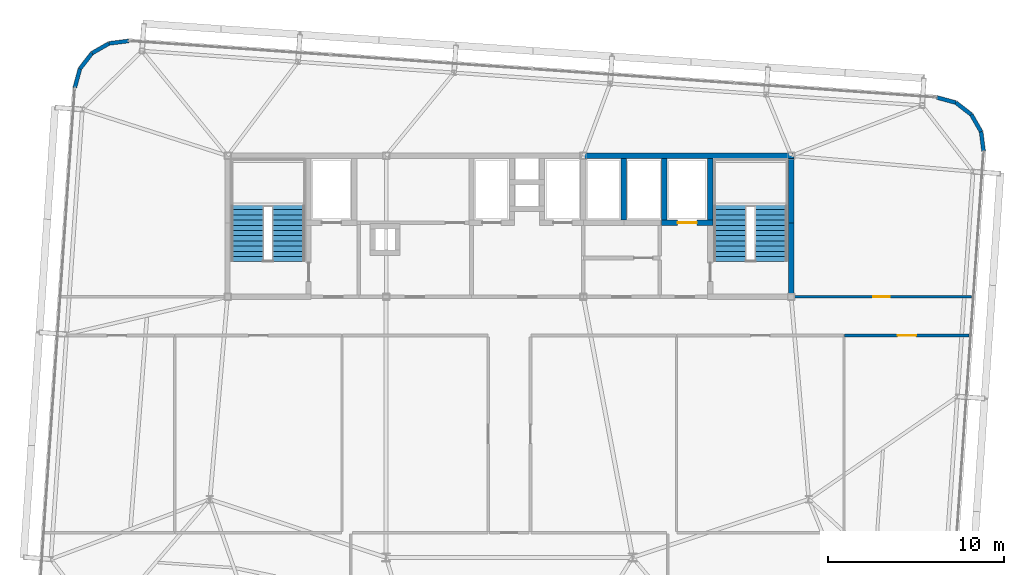
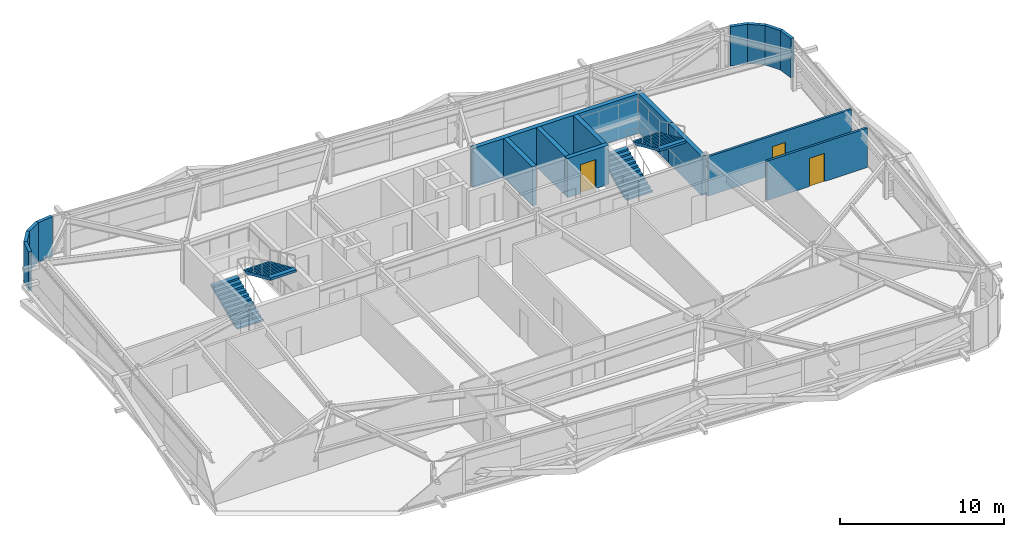
# One storey, part 37 of 39: 17 walls, 4 stair flights, 3 doors, 3 openings, 2 elements without a shape of their own.
"""IFC4 building model written with IfcOpenShell, lengths in metres."""

from ifc_helpers import new_model, si_unit, direction, frame, frame_2d, origin, place, context, subcontext, project, spatial, polyline, rectangle, outline, extrude, source, transform, mapped, material, layer, layer_set, type_object, element, fill, aggregate, save


model = new_model("IFC4")

# Units and contexts
model_context = context("Model", 3, precision=1e-05, world=origin(), true_north=direction((0.0, 1.0)))
body_context = subcontext(model_context, "Body", "Model", "MODEL_VIEW")
ifc_project = project(units=[si_unit("LENGTHUNIT", "METRE"), si_unit("AREAUNIT", "SQUARE_METRE"), si_unit("VOLUMEUNIT", "CUBIC_METRE"), si_unit("PLANEANGLEUNIT", "RADIAN"), si_unit("MASSUNIT", "GRAM", prefix="KILO")], contexts=[model_context])

# Site, building, storey
site_placement = place(None, origin())
site = spatial("IfcSite", under=ifc_project, at=site_placement, CompositionType="ELEMENT")
building_placement = place(site_placement, origin())
building = spatial("IfcBuilding", under=site, at=building_placement, Name="Taldren Reach Tower", CompositionType="ELEMENT")
storey_placement = place(building_placement, frame((0.0, 0.0, 126.699951171875)))
storey = spatial("IfcBuildingStorey", under=building, at=storey_placement, Name="L38", CompositionType="ELEMENT", Elevation=126.699951171875)

# Walls
ifc_material_1 = material(Name="Pale Champagne Anodised Aluminium Cladding", Category="aluminium")
ifc_layer_1 = layer(ifc_material_1, 0.04, Name="Pale Champagne Anodised Aluminium Cladding", Category="aluminium")
ifc_material_2 = material(Name="Mineral Wool Acoustic Insulation", Category="insulation")
ifc_layer_2 = layer(ifc_material_2, 0.06, Name="Mineral Wool Acoustic Insulation", Category="insulation")
ifc_material_3 = material(Name="Steel Gr 350 (C350L0)", Category="steel")
ifc_layer_3 = layer(ifc_material_3, 0.12, Name="Steel Gr 350 (C350L0)", Category="steel")
ifc_layer_set_1 = layer_set([ifc_layer_1, ifc_layer_2, ifc_layer_3], Name="Pale Champagne Aluminium Cladding and Steel Gr 350 Stud Framing")
wall_type_1 = type_object("IfcWallType", Name="EW-CRN-220", PredefinedType="SOLIDWALL", material=ifc_layer_set_1)
shared_shape_1 = source(origin(), body_context, "Body", "SweptSolid", [
    extrude(rectangle(XDim=1.115966796875, YDim=0.219970703125, at=frame_2d((0.55810546875, 0.0))), origin(), (0.0, 0.0, 1.0), 2.929931640625),
])
for number, where, z_axis, x_axis, name in (
    (1, (61.923583984375, 32.261962890625, 0.0), (0.0, 0.0, 1.0), (-0.126242535829, 0.991999406324, 0.0), "Rounded-corner pale-metal facade wall L38-NE1"),
    (2, (61.78271484375, 33.368896484375, 0.0), (0.0, 0.0, 1.0), (-0.496138938357, 0.868243142124, 0.0), "Rounded-corner pale-metal facade wall L38-NE2"),
    (3, (61.22900390625, 34.337890625, 0.0), (0.0, 0.0, 1.0), (-0.790716874741, 0.612182018684, 0.0), "Rounded-corner pale-metal facade wall L38-NE3"),
    (4, (60.3466796875, 35.02099609375, 0.0), (0.0, 0.0, 1.0), (-0.964804199372, 0.262969307856, 0.0), "Rounded-corner pale-metal facade wall L38-NE4"),
    (5, (13.382080078125, 38.5234375, 0.0), (0.0, 0.0, 1.0), (-0.991999406324, -0.126242535829, 0.0), "Rounded-corner pale-metal facade wall L38-NW1"),
    (6, (11.306396484375, 37.828857421875, 0.0), (0.0, 0.0, 1.0), (-0.612318787668, -0.790610967714, 0.0), "Rounded-corner pale-metal facade wall L38-NW3"),
    (7, (10.623046875, 36.946533203125, 0.0), (0.0, 0.0, 1.0), (-0.262969307856, -0.964804199372, 0.0), "Rounded-corner pale-metal facade wall L38-NW4"),
):
    element("IfcWall", number, at=place(storey_placement, frame(where, z_axis=z_axis, x_axis=x_axis)), inside=storey, type_object=wall_type_1, Name=name, PredefinedType="SOLIDWALL", context=body_context, shape_type="MappedRepresentation", body=[
        mapped(shared_shape_1, transform((0.0, 0.0, 0.0), scale=1.0)),
    ])
shared_shape_2 = source(origin(), body_context, "Body", "SweptSolid", [
    extrude(rectangle(XDim=1.11572265625, YDim=0.219970703125, at=frame_2d((0.557861328125, 0.0))), origin(), (0.0, 0.0, 1.0), 2.929931640625),
])
wall_1_placement = place(storey_placement, frame((12.275146484375, 38.382568359375, 0.0), z_axis=(0.0, 0.0, 1.0), x_axis=(-0.868189279113, -0.496233186751, 0.0)))
element("IfcWall", 8, at=wall_1_placement, inside=storey, type_object=wall_type_1, Name="Rounded-corner pale-metal facade wall L38-NW2", PredefinedType="SOLIDWALL", context=body_context, shape_type="MappedRepresentation", body=[
    mapped(shared_shape_2, transform((0.0, 0.0, 0.0), scale=1.0)),
])
ifc_material_4 = material(Name="Concrete S65 (65 MPa)", Category="concrete")
ifc_layer_4 = layer(ifc_material_4, 0.300048828125)
ifc_layer_set_2 = layer_set([ifc_layer_4], Name="Concrete S65 (65 MPa)")
wall_type_2 = type_object("IfcWallType", Name="IW-CORE-300", PredefinedType="SHEAR", material=ifc_layer_set_2)
shared_shape_3 = source(origin(), body_context, "Body", "SweptSolid", [
    extrude(rectangle(XDim=11.949951171875, YDim=0.300048828125, at=frame_2d((5.97509765625, 0.0))), origin(), (0.0, 0.0, 1.0), 2.929931640625),
])
wall_2_placement = place(storey_placement, frame((39.199951171875, 32.0, 0.0), z_axis=(0.0, 0.0, 1.0), x_axis=(1.0, 0.0, 0.0)))
element("IfcWall", 9, at=wall_2_placement, inside=storey, type_object=wall_type_2, Name="Rear Core Shear Wall W-CORE-L38-NORTH3", PredefinedType="SHEAR", context=body_context, shape_type="MappedRepresentation", body=[
    mapped(shared_shape_3, transform((0.0, 0.0, 0.0), scale=1.0)),
])
shared_shape_4 = source(origin(), body_context, "Body", "SweptSolid", [
    extrude(rectangle(XDim=4.050048828125, YDim=0.300048828125, at=frame_2d((2.02490234375, 0.0))), origin(), (0.0, 0.0, 1.0), 2.929931640625),
])
wall_3_placement = place(storey_placement, frame((51.0, 24.14990234375, 0.0), z_axis=(0.0, 0.0, 1.0), x_axis=(0.0, 1.0, 0.0)))
element("IfcWall", 10, at=wall_3_placement, inside=storey, type_object=wall_type_2, Name="Rear Core Shear Wall W-CORE-L38-EAST1", PredefinedType="SHEAR", context=body_context, shape_type="MappedRepresentation", body=[
    mapped(shared_shape_4, transform((0.0, 0.0, 0.0), scale=1.0)),
])
shared_shape_5 = source(origin(), body_context, "Body", "SweptSolid", [
    extrude(rectangle(XDim=3.650146484375, YDim=0.300048828125, at=frame_2d((1.8251953125, 0.0))), origin(), (0.0, 0.0, 1.0), 2.929931640625),
])
wall_4_placement = place(storey_placement, frame((51.0, 28.199951171875, 0.0), z_axis=(0.0, 0.0, 1.0), x_axis=(0.0, 1.0, 0.0)))
element("IfcWall", 11, at=wall_4_placement, inside=storey, type_object=wall_type_2, Name="Rear Core Shear Wall W-CORE-L38-EAST2", PredefinedType="SHEAR", context=body_context, shape_type="MappedRepresentation", body=[
    mapped(shared_shape_5, transform((0.0, 0.0, 0.0), scale=1.0)),
])
shared_shape_6 = source(origin(), body_context, "Body", "SweptSolid", [
    extrude(rectangle(XDim=3.5, YDim=0.300048828125, at=frame_2d((1.75, 0.0))), origin(), (0.0, 0.0, 1.0), 2.929931640625),
])
for number, where, z_axis, x_axis, name in (
    (12, (46.39990234375, 31.85009765625, 0.0), (0.0, 0.0, 1.0), (0.0, -1.0, 0.0), "Rear Core Shear Wall W-INT-L38-008"),
    (13, (43.800048828125, 31.85009765625, 0.0), (0.0, 0.0, 1.0), (0.0, -1.0, 0.0), "Rear Core Shear Wall W-INT-L38-012"),
    (14, (41.5, 28.35009765625, 0.0), (0.0, 0.0, 1.0), (0.0, 1.0, 0.0), "Rear Core Shear Wall W-INT-L38-036"),
):
    element("IfcWall", number, at=place(storey_placement, frame(where, z_axis=z_axis, x_axis=x_axis)), inside=storey, type_object=wall_type_2, Name=name, PredefinedType="SHEAR", context=body_context, shape_type="MappedRepresentation", body=[
        mapped(shared_shape_6, transform((0.0, 0.0, 0.0), scale=1.0)),
    ])

# Wall, opening, door
shared_shape_7 = source(origin(), body_context, "Body", "SweptSolid", [
    extrude(rectangle(XDim=2.900146484375, YDim=0.300048828125, at=frame_2d((1.4501953125, 0.0))), origin(), (0.0, 0.0, 1.0), 2.929931640625),
])
wall_5_placement = place(storey_placement, frame((43.64990234375, 28.199951171875, 0.0), z_axis=(0.0, 0.0, 1.0), x_axis=(1.0, 0.0, 0.0)))
wall_5 = element("IfcWall", 15, at=wall_5_placement, inside=storey, type_object=wall_type_2, Name="Rear Core Shear Wall W-INT-L38-011", PredefinedType="SHEAR", context=body_context, shape_type="MappedRepresentation", body=[
    mapped(shared_shape_7, transform((0.0, 0.0, 0.0), scale=1.0)),
])
shared_shape_8 = source(origin(), body_context, "Body", "SweptSolid", [
    extrude(rectangle(XDim=1.10009765625, YDim=2.14990234375, at=frame_2d((0.550048828125, 1.074951171875))), frame((0.0, 0.16015625, 0.0), z_axis=(0.0, -1.0, 0.0), x_axis=(1.0, 0.0, 0.0)), (0.0, 0.0, 1.0), 0.320068359375),
])
opening_1_placement = place(wall_5_placement, frame((0.89990234375, 0.0, 0.0)))
opening_1 = element("IfcOpeningElement", 16, at=opening_1_placement, cuts=wall_5, Name="Opening LD-FL2", PredefinedType="OPENING", context=body_context, shape_type="MappedRepresentation", body=[
    mapped(shared_shape_8, transform((0.0, 0.0, 0.0), scale=1.0)),
])
ifc_material_5 = material(Name="Stainless Steel Gr 316 Emergency Lift Landing Door", Category="steel")
door_type_1 = type_object("IfcDoorType", Name="LD-EMG-110", OperationType="SLIDING_TO_LEFT", PredefinedType="DOOR", material=ifc_material_5)
shared_shape_9 = source(origin(), body_context, "Body", "SweptSolid", [
    extrude(rectangle(XDim=1.10009765625, YDim=2.14990234375, at=frame_2d((0.550048828125, 1.074951171875))), frame((0.0, 0.02490234375, 0.0), z_axis=(0.0, -1.0, 0.0), x_axis=(1.0, 0.0, 0.0)), (0.0, 0.0, 1.0), 0.050048828125),
])
door_1_placement = place(opening_1_placement, origin())
door_1 = element("IfcDoor", 17, at=door_1_placement, inside=storey, type_object=door_type_1, Name="Lift Landing Door LD-FL2-L38", OperationType="SLIDING_TO_LEFT", OverallHeight=2.14990234375, OverallWidth=1.10009765625, PredefinedType="DOOR", context=body_context, shape_type="MappedRepresentation", body=[
    mapped(shared_shape_9, transform((0.0, 0.0, 0.0), scale=1.0)),
])
fill(opening_1, door_1)

ifc_material_6 = material(Name="Fire-Rated Acoustic Plasterboard Stud Wall", Category="gypsum")
ifc_layer_5 = layer(ifc_material_6, 0.159912109375)
ifc_layer_set_3 = layer_set([ifc_layer_5], Name="Fire-Rated Acoustic Plasterboard Stud Wall")
wall_type_3 = type_object("IfcWallType", Name="IW-FIRE-160", PredefinedType="PARTITIONING", material=ifc_layer_set_3)
shared_shape_10 = source(origin(), body_context, "Body", "SweptSolid", [
    extrude(rectangle(XDim=10.10009765625, YDim=0.159912109375, at=frame_2d((5.050048828125, 0.0))), origin(), (0.0, 0.0, 1.0), 2.929931640625),
])
wall_6_placement = place(storey_placement, frame((51.14990234375, 24.0, 0.0), z_axis=(0.0, 0.0, 1.0), x_axis=(1.0, 0.0, 0.0)))
wall_6 = element("IfcWall", 18, at=wall_6_placement, inside=storey, type_object=wall_type_3, Name="Interior Partition Wall W-INT-L38-049", PredefinedType="PARTITIONING", context=body_context, shape_type="MappedRepresentation", body=[
    mapped(shared_shape_10, transform((0.0, 0.0, 0.0), scale=1.0)),
])
shared_shape_11 = source(origin(), body_context, "Body", "SweptSolid", [
    extrude(rectangle(XDim=0.919921875, YDim=2.10009765625, at=frame_2d((0.4599609375, 1.050048828125))), frame((0.0, 0.08984375, 0.0), z_axis=(0.0, -1.0, 0.0), x_axis=(1.0, 0.0, 0.0)), (0.0, 0.0, 1.0), 0.179931640625),
])
opening_2_placement = place(wall_6_placement, frame((4.525146484375, 0.0, 0.0)))
opening_2 = element("IfcOpeningElement", 19, at=opening_2_placement, cuts=wall_6, Name="Opening DI-092", PredefinedType="OPENING", context=body_context, shape_type="MappedRepresentation", body=[
    mapped(shared_shape_11, transform((0.0, 0.0, 0.0), scale=1.0)),
])
ifc_material_7 = material(Name="Solid-Core Timber Suite Door", Category="wood")
door_type_2 = type_object("IfcDoorType", Name="ID-INT-092", OperationType="NOTDEFINED", PredefinedType="DOOR", material=ifc_material_7)
shared_shape_12 = source(origin(), body_context, "Body", "SweptSolid", [
    extrude(rectangle(XDim=0.919921875, YDim=2.10009765625, at=frame_2d((0.4599609375, 1.050048828125))), frame((0.0, 0.02490234375, 0.0), z_axis=(0.0, -1.0, 0.0), x_axis=(1.0, 0.0, 0.0)), (0.0, 0.0, 1.0), 0.050048828125),
])
door_2_placement = place(opening_2_placement, origin())
door_2 = element("IfcDoor", 20, at=door_2_placement, inside=storey, type_object=door_type_2, Name="Interior Door DR-L38-014", OperationType="SINGLE_SWING_LEFT", OverallHeight=2.10009765625, OverallWidth=0.919921875, PredefinedType="DOOR", context=body_context, shape_type="MappedRepresentation", body=[
    mapped(shared_shape_12, transform((0.0, 0.0, 0.0), scale=1.0)),
])
fill(opening_2, door_2)

shared_shape_13 = source(origin(), body_context, "Body", "SweptSolid", [
    extrude(rectangle(XDim=7.087158203125, YDim=0.159912109375, at=frame_2d((3.54345703125, 0.0))), origin(), (0.0, 0.0, 1.0), 2.929931640625),
])
wall_7_placement = place(storey_placement, frame((61.107421875, 21.800048828125, 0.0), z_axis=(0.0, 0.0, 1.0), x_axis=(-1.0, 0.0, 0.0)))
wall_7 = element("IfcWall", 21, at=wall_7_placement, inside=storey, type_object=wall_type_3, Name="Interior Partition Wall W-INT-L38-048", PredefinedType="PARTITIONING", context=body_context, shape_type="MappedRepresentation", body=[
    mapped(shared_shape_13, transform((0.0, 0.0, 0.0), scale=1.0)),
])
shared_shape_14 = source(origin(), body_context, "Body", "SweptSolid", [
    extrude(rectangle(XDim=1.050048828125, YDim=2.10009765625, at=frame_2d((0.52490234375, 1.050048828125))), frame((0.0, 0.08984375, 0.0), z_axis=(0.0, -1.0, 0.0), x_axis=(1.0, 0.0, 0.0)), (0.0, 0.0, 1.0), 0.179931640625),
])
opening_3_placement = place(wall_7_placement, frame((3.0185546875, 0.0, 0.0)))
opening_3 = element("IfcOpeningElement", 22, at=opening_3_placement, cuts=wall_7, Name="Opening DF-105", PredefinedType="OPENING", context=body_context, shape_type="MappedRepresentation", body=[
    mapped(shared_shape_14, transform((0.0, 0.0, 0.0), scale=1.0)),
])
ifc_material_8 = material(Name="Fire-Rated Care and Stair Exit Door")
door_type_3 = type_object("IfcDoorType", Name="ID-FIRE-105", OperationType="NOTDEFINED", PredefinedType="DOOR", material=ifc_material_8)
shared_shape_15 = source(origin(), body_context, "Body", "SweptSolid", [
    extrude(rectangle(XDim=1.050048828125, YDim=2.10009765625, at=frame_2d((0.52490234375, 1.050048828125))), frame((0.0, 0.02490234375, 0.0), z_axis=(0.0, -1.0, 0.0), x_axis=(1.0, 0.0, 0.0)), (0.0, 0.0, 1.0), 0.050048828125),
])
door_3_placement = place(opening_3_placement, origin())
door_3 = element("IfcDoor", 23, at=door_3_placement, inside=storey, type_object=door_type_3, Name="Interior Door DR-L38-013", OperationType="SINGLE_SWING_RIGHT", OverallHeight=2.10009765625, OverallWidth=1.050048828125, PredefinedType="DOOR", context=body_context, shape_type="MappedRepresentation", body=[
    mapped(shared_shape_15, transform((0.0, 0.0, 0.0), scale=1.0)),
])
fill(opening_3, door_3)

# Stair, stair flights
ifc_material_9 = material(Name="Concrete S50 (50 MPa)", Category="concrete")
stair_type = type_object("IfcStairType", Name="ST-HT-315", PredefinedType="HALF_TURN_STAIR", material=ifc_material_9)
stair_1_placement = place(storey_placement, origin())
stair_1 = element("IfcStair", 24, at=stair_1_placement, inside=storey, type_object=stair_type, Name="Fire-isolated exit stair ST1 L38", PredefinedType="HALF_TURN_STAIR")
stair_flight_type = type_object("IfcStairFlightType", Name="SF-STR-315", PredefinedType="STRAIGHT", material=ifc_material_9)
stair_flight_1_placement = place(storey_placement, frame((20.139892578125, 25.989990234375, 0.0), z_axis=(0.0, 0.0, 1.0), x_axis=(0.0, 1.0, 0.0)))
stair_flight_1 = element("IfcStairFlight", 25, at=stair_flight_1_placement, type_object=stair_flight_type, Name="ST1 flight 1", NumberOfRisers=12, NumberOfTreads=11, PredefinedType="STRAIGHT", RiserHeight=0.13125, TreadLength=0.295, context=body_context, shape_type="SweptSolid", body=[
    extrude(outline(polyline([(0.0, 0.0), (0.0, 0.13134765625), (0.294921875, 0.13134765625), (0.294921875, 0.262451171875), (0.590087890625, 0.262451171875), (0.590087890625, 0.393798828125), (0.885009765625, 0.393798828125), (0.885009765625, 0.52490234375), (1.179931640625, 0.52490234375), (1.179931640625, 0.65625), (1.47509765625, 0.65625), (1.47509765625, 0.78759765625), (1.77001953125, 0.78759765625), (1.77001953125, 0.918701171875), (2.06494140625, 0.918701171875), (2.06494140625, 1.050048828125), (2.360107421875, 1.050048828125), (2.360107421875, 1.18115234375), (2.655029296875, 1.18115234375), (2.655029296875, 1.3125), (2.949951171875, 1.3125), (2.949951171875, 1.44384765625), (3.2451171875, 1.44384765625), (3.2451171875, 1.574951171875), (3.2451171875, 1.268798828125), (0.393310546875, 0.0), (0.0, 0.0)])), frame((0.0, 0.919921875, 0.0), z_axis=(0.0, -1.0, 0.0), x_axis=(1.0, 0.0, 0.0)), (0.0, 0.0, 1.0), 1.840087890625),
])
stair_flight_2_placement = place(storey_placement, frame((22.4599609375, 29.235107421875, 1.574951171875), z_axis=(0.0, 0.0, 1.0), x_axis=(0.0, -1.0, 0.0)))
stair_flight_2 = element("IfcStairFlight", 26, at=stair_flight_2_placement, type_object=stair_flight_type, Name="ST1 flight 2", NumberOfRisers=12, NumberOfTreads=11, PredefinedType="STRAIGHT", RiserHeight=0.13125, TreadLength=0.295, context=body_context, shape_type="SweptSolid", body=[
    extrude(outline(polyline([(0.0, 0.0), (0.0, 0.13134765625), (0.294921875, 0.13134765625), (0.294921875, 0.262451171875), (0.590087890625, 0.262451171875), (0.590087890625, 0.393798828125), (0.885009765625, 0.393798828125), (0.885009765625, 0.52490234375), (1.179931640625, 0.52490234375), (1.179931640625, 0.65625), (1.47509765625, 0.65625), (1.47509765625, 0.78759765625), (1.77001953125, 0.78759765625), (1.77001953125, 0.918701171875), (2.06494140625, 0.918701171875), (2.06494140625, 1.050048828125), (2.360107421875, 1.050048828125), (2.360107421875, 1.18115234375), (2.655029296875, 1.18115234375), (2.655029296875, 1.3125), (2.949951171875, 1.3125), (2.949951171875, 1.44384765625), (3.2451171875, 1.44384765625), (3.2451171875, 1.574951171875), (3.2451171875, 1.268798828125), (0.393310546875, 0.0), (0.0, 0.0)])), frame((0.0, 0.919921875, 0.0), z_axis=(0.0, -1.0, 0.0), x_axis=(1.0, 0.0, 0.0)), (0.0, 0.0, 1.0), 1.840087890625),
])
aggregate(stair_1, [stair_flight_1, stair_flight_2])

stair_2_placement = place(storey_placement, origin())
stair_2 = element("IfcStair", 27, at=stair_2_placement, inside=storey, type_object=stair_type, Name="Fire-isolated exit stair ST2 L38", PredefinedType="HALF_TURN_STAIR")
stair_flight_3_placement = place(storey_placement, frame((47.5400390625, 25.989990234375, 0.0), z_axis=(0.0, 0.0, 1.0), x_axis=(0.0, 1.0, 0.0)))
stair_flight_3 = element("IfcStairFlight", 28, at=stair_flight_3_placement, type_object=stair_flight_type, Name="ST2 flight 1", NumberOfRisers=12, NumberOfTreads=11, PredefinedType="STRAIGHT", RiserHeight=0.13125, TreadLength=0.295, context=body_context, shape_type="SweptSolid", body=[
    extrude(outline(polyline([(0.0, 0.0), (0.0, 0.13134765625), (0.294921875, 0.13134765625), (0.294921875, 0.262451171875), (0.590087890625, 0.262451171875), (0.590087890625, 0.393798828125), (0.885009765625, 0.393798828125), (0.885009765625, 0.52490234375), (1.179931640625, 0.52490234375), (1.179931640625, 0.65625), (1.47509765625, 0.65625), (1.47509765625, 0.78759765625), (1.77001953125, 0.78759765625), (1.77001953125, 0.918701171875), (2.06494140625, 0.918701171875), (2.06494140625, 1.050048828125), (2.360107421875, 1.050048828125), (2.360107421875, 1.18115234375), (2.655029296875, 1.18115234375), (2.655029296875, 1.3125), (2.949951171875, 1.3125), (2.949951171875, 1.44384765625), (3.2451171875, 1.44384765625), (3.2451171875, 1.574951171875), (3.2451171875, 1.268798828125), (0.393310546875, 0.0), (0.0, 0.0)])), frame((0.0, 0.919921875, 0.0), z_axis=(0.0, -1.0, 0.0), x_axis=(1.0, 0.0, 0.0)), (0.0, 0.0, 1.0), 1.840087890625),
])
stair_flight_4_placement = place(storey_placement, frame((49.860107421875, 29.235107421875, 1.574951171875), z_axis=(0.0, 0.0, 1.0), x_axis=(0.0, -1.0, 0.0)))
stair_flight_4 = element("IfcStairFlight", 29, at=stair_flight_4_placement, type_object=stair_flight_type, Name="ST2 flight 2", NumberOfRisers=12, NumberOfTreads=11, PredefinedType="STRAIGHT", RiserHeight=0.13125, TreadLength=0.295, context=body_context, shape_type="SweptSolid", body=[
    extrude(outline(polyline([(0.0, 0.0), (0.0, 0.13134765625), (0.294921875, 0.13134765625), (0.294921875, 0.262451171875), (0.590087890625, 0.262451171875), (0.590087890625, 0.393798828125), (0.885009765625, 0.393798828125), (0.885009765625, 0.52490234375), (1.179931640625, 0.52490234375), (1.179931640625, 0.65625), (1.47509765625, 0.65625), (1.47509765625, 0.78759765625), (1.77001953125, 0.78759765625), (1.77001953125, 0.918701171875), (2.06494140625, 0.918701171875), (2.06494140625, 1.050048828125), (2.360107421875, 1.050048828125), (2.360107421875, 1.18115234375), (2.655029296875, 1.18115234375), (2.655029296875, 1.3125), (2.949951171875, 1.3125), (2.949951171875, 1.44384765625), (3.2451171875, 1.44384765625), (3.2451171875, 1.574951171875), (3.2451171875, 1.268798828125), (0.393310546875, 0.0), (0.0, 0.0)])), frame((0.0, 0.919921875, 0.0), z_axis=(0.0, -1.0, 0.0), x_axis=(1.0, 0.0, 0.0)), (0.0, 0.0, 1.0), 1.840087890625),
])
aggregate(stair_2, [stair_flight_3, stair_flight_4])

save(model, "model.ifc")
